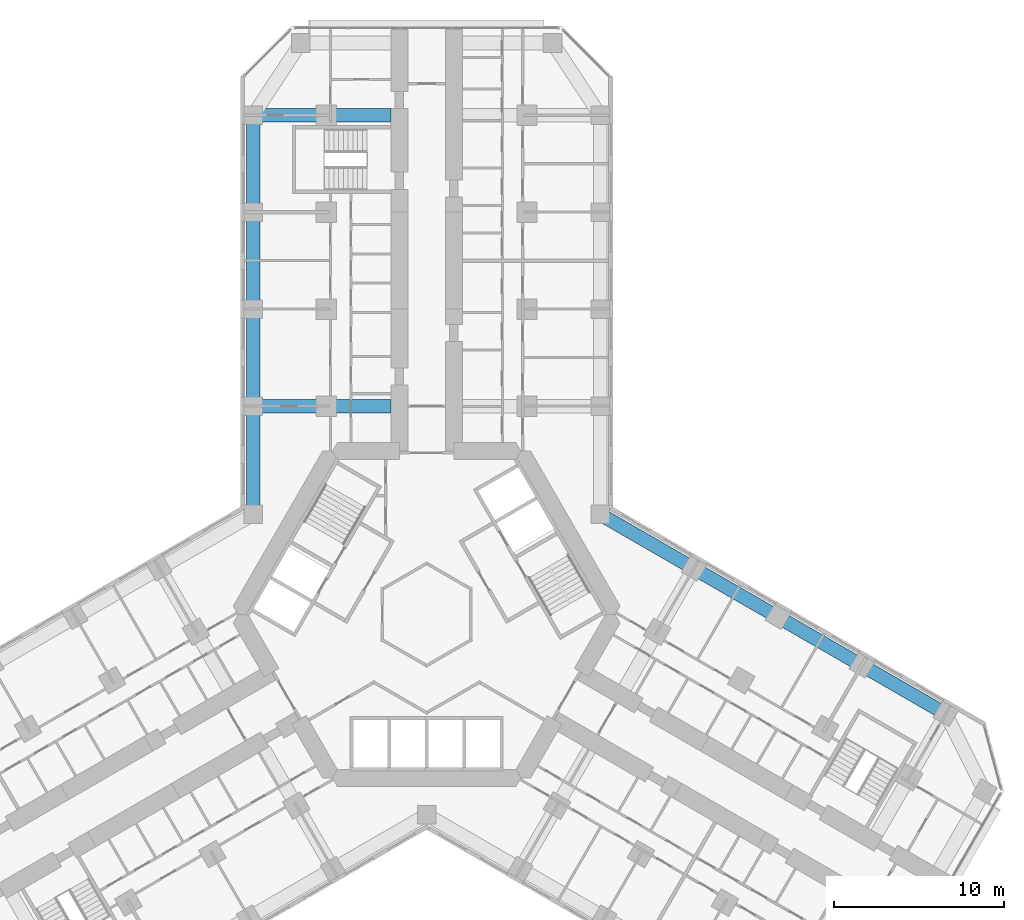
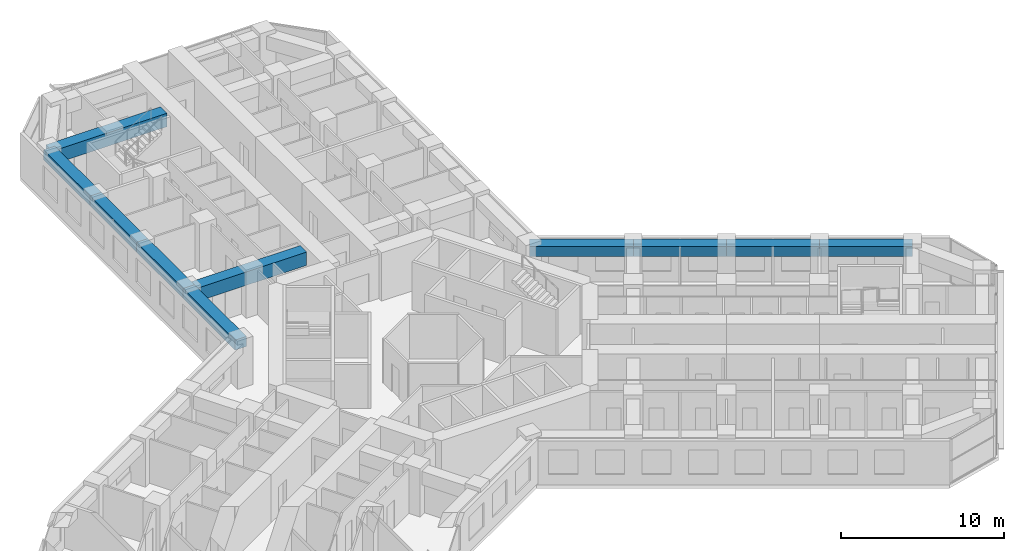
# One storey, part 6 of 21: 10 beams.
"""IFC4 building model written with IfcOpenShell, lengths in metres."""

from ifc_helpers import new_model, si_unit, direction, frame, origin, origin_2d, place, context, subcontext, project, spatial, rectangle, extrude, material, material_profile, profile_set, type_object, element, save


model = new_model("IFC4")

# Units and contexts
model_context = context("Model", 3, precision=1e-05, world=origin(), true_north=direction((0.0, 1.0)))
body_context = subcontext(model_context, "Body", "Model", "MODEL_VIEW")
ifc_project = project(units=[si_unit("LENGTHUNIT", "METRE"), si_unit("AREAUNIT", "SQUARE_METRE"), si_unit("VOLUMEUNIT", "CUBIC_METRE"), si_unit("PLANEANGLEUNIT", "RADIAN"), si_unit("MASSUNIT", "GRAM", prefix="KILO")], contexts=[model_context])

# Site, building, storey
site_placement = place(None, origin())
site = spatial("IfcSite", under=ifc_project, at=site_placement, CompositionType="ELEMENT")
building_placement = place(site_placement, origin())
building = spatial("IfcBuilding", under=site, at=building_placement, Name="Kosmar Iwan School Tower", CompositionType="ELEMENT")
storey_placement = place(building_placement, frame((0.0, 0.0, 28.800048828125)))
storey = spatial("IfcBuildingStorey", under=building, at=storey_placement, Name="L06", CompositionType="ELEMENT", Elevation=28.800048828125)

# Beams
ifc_material_1 = material(Name="Concrete C50/60", Category="concrete")
ifc_material_profile_1 = material_profile(ifc_material_1, rectangle(XDim=0.800048828125, YDim=0.75, at=origin_2d()), Name="RC 800x750 + HD 400x634")
ifc_profile_set_1 = profile_set([ifc_material_profile_1], Name="Concrete C50/60")
beam_type_1 = type_object("IfcBeamType", Name="Composite edge beam 800x750 HD 400x634", PredefinedType="BEAM", material=ifc_profile_set_1)
beam_1_placement = place(storey_placement, frame((-10.199951171875, 5.888916015625, 2.925048828125), z_axis=(0.0, 1.0, 0.0), x_axis=(-1.0, 0.0, 0.0)))
element("IfcBeam", 1, at=beam_1_placement, inside=storey, type_object=beam_type_1, Name="Edge beam AL1", PredefinedType="BEAM", context=body_context, shape_type="SweptSolid", body=[
    extrude(rectangle(XDim=0.800048828125, YDim=0.75, at=origin_2d()), origin(), (0.0, 0.0, 1.0), 6.361083984375),
])
for number, where, z_axis, x_axis, name in (
    (2, (-10.199951171875, 12.25, 2.925048828125), (0.0, 1.0, 0.0), (-1.0, 0.0, 0.0), "Edge beam AL2"),
    (3, (-10.199951171875, 17.949951171875, 2.925048828125), (0.0, 1.0, 0.0), (-1.0, 0.0, 0.0), "Edge beam AL3"),
):
    element("IfcBeam", number, at=place(storey_placement, frame(where, z_axis=z_axis, x_axis=x_axis)), inside=storey, type_object=beam_type_1, Name=name, PredefinedType="BEAM", context=body_context, shape_type="SweptSolid", body=[
        extrude(rectangle(XDim=0.800048828125, YDim=0.75, at=origin_2d()), origin(), (0.0, 0.0, 1.0), 5.699951171875),
    ])
beam_2_placement = place(storey_placement, frame((-10.199951171875, 23.64990234375, 2.925048828125), z_axis=(0.0, 1.0, 0.0), x_axis=(-1.0, 0.0, 0.0)))
element("IfcBeam", 4, at=beam_2_placement, inside=storey, type_object=beam_type_1, Name="Edge beam AL4", PredefinedType="BEAM", context=body_context, shape_type="SweptSolid", body=[
    extrude(rectangle(XDim=0.800048828125, YDim=0.75, at=origin_2d()), origin(), (0.0, 0.0, 1.0), 5.7001953125),
])
beam_3_placement = place(storey_placement, frame((10.199951171875, 5.888916015625, 2.925048828125), z_axis=(0.866030912664, -0.49999045822, 0.0), x_axis=(0.49999045822, 0.866030912664, 0.0)))
element("IfcBeam", 5, at=beam_3_placement, inside=storey, type_object=beam_type_1, Name="Edge beam CL1", PredefinedType="BEAM", context=body_context, shape_type="SweptSolid", body=[
    extrude(rectangle(XDim=0.800048828125, YDim=0.75, at=origin_2d()), origin(), (0.0, 0.0, 1.0), 6.36083984375),
])
beam_4_placement = place(storey_placement, frame((15.708740234375, 2.70849609375, 2.925048828125), z_axis=(0.866025820012, -0.499999279071, 0.0), x_axis=(0.499999279071, 0.866025820012, 0.0)))
element("IfcBeam", 6, at=beam_4_placement, inside=storey, type_object=beam_type_1, Name="Edge beam CL2", PredefinedType="BEAM", context=body_context, shape_type="SweptSolid", body=[
    extrude(rectangle(XDim=0.800048828125, YDim=0.75, at=origin_2d()), origin(), (0.0, 0.0, 1.0), 5.7001953125),
])
for number, where, z_axis, x_axis, name in (
    (7, (20.645263671875, -0.1416015625, 2.925048828125), (0.866033658841, -0.49998570155, 0.0), (0.49998570155, 0.866033658841, 0.0), "Edge beam CL3"),
    (8, (25.58154296875, -2.991455078125, 2.925048828125), (0.866015111908, -0.50001782563, 0.0), (0.50001782563, 0.866015111908, 0.0), "Edge beam CL4"),
):
    element("IfcBeam", number, at=place(storey_placement, frame(where, z_axis=z_axis, x_axis=x_axis)), inside=storey, type_object=beam_type_1, Name=name, PredefinedType="BEAM", context=body_context, shape_type="SweptSolid", body=[
        extrude(rectangle(XDim=0.800048828125, YDim=0.75, at=origin_2d()), origin(), (0.0, 0.0, 1.0), 5.699951171875),
    ])
ifc_material_2 = material(Name="Concrete C50/60", Category="concrete")
ifc_material_profile_2 = material_profile(ifc_material_2, rectangle(XDim=0.800048828125, YDim=1.0, at=origin_2d()), Name="RC 800x1000 + HD 400x634")
ifc_profile_set_2 = profile_set([ifc_material_profile_2], Name="Concrete C50/60")
beam_type_2 = type_object("IfcBeamType", Name="Composite transverse beam 800x1000 HD 400x634", PredefinedType="BEAM", material=ifc_profile_set_2)
for number, where, z_axis, x_axis, name in (
    (9, (-10.199951171875, 12.25, 2.800048828125), (1.0, 0.0, 0.0), (0.0, 1.0, 0.0), "Transverse beam AL1"),
    (10, (-10.199951171875, 29.35009765625, 2.800048828125), (1.0, 0.0, 0.0), (0.0, 1.0, 0.0), "Transverse beam AL4"),
):
    element("IfcBeam", number, at=place(storey_placement, frame(where, z_axis=z_axis, x_axis=x_axis)), inside=storey, type_object=beam_type_2, Name=name, PredefinedType="BEAM", context=body_context, shape_type="SweptSolid", body=[
        extrude(rectangle(XDim=0.800048828125, YDim=1.0, at=origin_2d()), origin(), (0.0, 0.0, 1.0), 8.099853515625),
    ])

save(model, "model.ifc")
